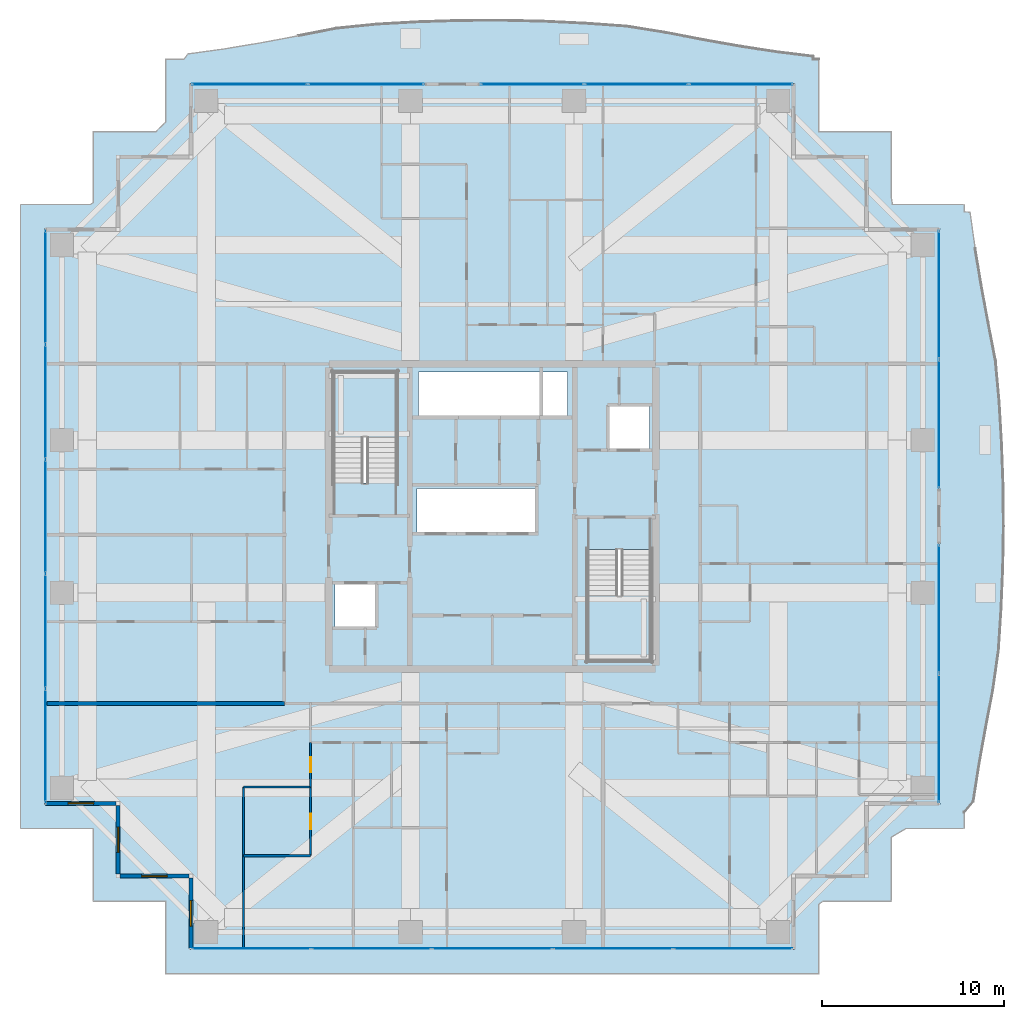
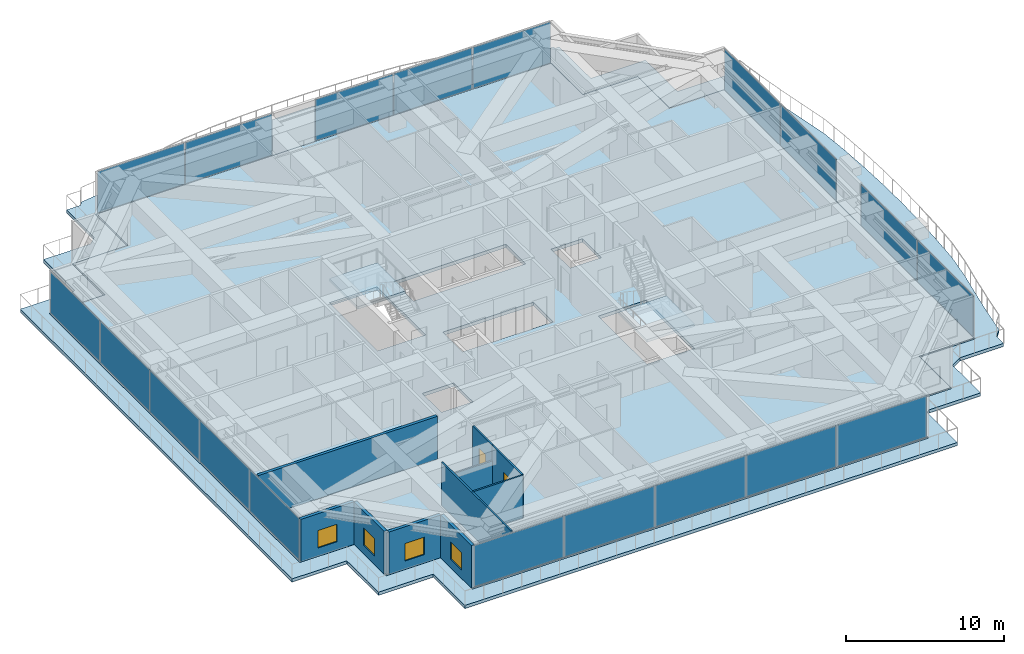
# One storey, part 22 of 32: 19 plates, 10 walls, 4 slabs, 4 windows, 2 doors, 6 openings, 8 elements without a shape of their own.
"""IFC4 building model written with IfcOpenShell, lengths in metres."""

from ifc_helpers import new_model, si_unit, direction, frame, frame_2d, origin, origin_2d, place, context, subcontext, project, spatial, polyline, rectangle, outline, extrude, source, transform, mapped, material, layer, layer_set, type_object, element, fill, aggregate, save


model = new_model("IFC4")

# Units and contexts
model_context = context("Model", 3, precision=1e-05, world=origin(), true_north=direction((0.0, 1.0)))
body_context = subcontext(model_context, "Body", "Model", "MODEL_VIEW")
ifc_project = project(units=[si_unit("LENGTHUNIT", "METRE"), si_unit("AREAUNIT", "SQUARE_METRE"), si_unit("VOLUMEUNIT", "CUBIC_METRE"), si_unit("PLANEANGLEUNIT", "RADIAN"), si_unit("MASSUNIT", "GRAM", prefix="KILO")], contexts=[model_context])

# Site, building, storey
site_placement = place(None, origin())
site = spatial("IfcSite", under=ifc_project, at=site_placement, CompositionType="ELEMENT")
building_placement = place(site_placement, origin())
building = spatial("IfcBuilding", under=site, at=building_placement, Name="Serunith Strait Residences", CompositionType="ELEMENT")
storey_placement = place(building_placement, frame((0.0, 0.0, 195.14990234375)))
storey = spatial("IfcBuildingStorey", under=building, at=storey_placement, Name="L49", CompositionType="ELEMENT", Elevation=195.14990234375)

# Slab
ifc_material_1 = material(Name="Concrete C50/60", Category="concrete")
ifc_layer_1 = layer(ifc_material_1, 0.239990234375, Name="Concrete C50/60")
ifc_layer_set_1 = layer_set([ifc_layer_1], Name="Concrete C50/60")
slab_type_1 = type_object("IfcSlabType", Name="SLB-BALC-240", PredefinedType="FLOOR", material=ifc_layer_set_1)
slab_1_placement = place(storey_placement, frame((0.0, 0.0, -0.289794921875)))
element("IfcSlab", 1, at=slab_1_placement, inside=storey, type_object=slab_type_1, Name="L49 Planted Vertical-Forest Balcony Slab", PredefinedType="FLOOR", context=body_context, shape_type="SweptSolid", body=[
    extrude(outline(polyline([(10.419921875, 46.3798828125), (13.86669921875, 46.3798828125), (14.419921875, 46.912109375), (14.419921875, 50.3798828125), (15.430908203125, 50.3798828125), (15.63623046875, 50.666748046875), (17.635009765625, 50.944091796875), (19.652587890625, 51.279296875), (21.706787109375, 51.66455078125), (23.81787109375, 52.07568359375), (26.0419921875, 52.302734375), (28.319091796875, 52.4306640625), (30.621826171875, 52.50341796875), (32.935546875, 52.513916015625), (35.244384765625, 52.461181640625), (37.533447265625, 52.350341796875), (39.790771484375, 52.1923828125), (41.95361328125, 51.845703125), (44.033203125, 51.443603515625), (46.06640625, 51.0830078125), (48.072998046875, 50.7783203125), (50.068603515625, 50.531982421875), (50.0673828125, 50.3798828125), (50.3798828125, 50.3798828125), (50.3798828125, 46.3798828125), (54.3798828125, 46.3798828125), (54.3798828125, 42.7314453125), (54.431884765625, 42.3798828125), (58.3798828125, 42.3798828125), (58.3798828125, 41.973876953125), (58.708984375, 41.955078125), (58.98974609375, 39.9541015625), (59.325927734375, 37.933349609375), (59.70849609375, 35.87548828125), (60.1142578125, 33.76220703125), (60.315673828125, 31.535888671875), (60.44921875, 29.266845703125), (60.531494140625, 26.972412109375), (60.5546875, 24.666015625), (60.51611328125, 22.36181640625), (60.419677734375, 20.074462890625), (60.274658203125, 17.81591796875), (59.96435546875, 15.638427734375), (59.564697265625, 13.55029296875), (59.198486328125, 11.51025390625), (58.8837890625, 9.5), (58.3798828125, 8.912353515625), (58.3798828125, 8.02001953125), (55.173583984375, 8.02001953125), (54.3798828125, 7.54736328125), (54.3798828125, 4.02001953125), (50.606689453125, 4.02001953125), (50.3798828125, 3.838134765625), (50.3798828125, 0.02001953125), (14.419921875, 0.02001953125), (14.419921875, 4.02001953125), (10.419921875, 4.02001953125), (10.419921875, 8.02001953125), (6.419921875, 8.02001953125), (6.419921875, 42.3798828125), (10.284912109375, 42.3798828125), (10.419921875, 42.47802734375), (10.419921875, 46.3798828125)]), holes=[polyline([(49.054931640625, 1.344970703125), (49.054931640625, 5.344970703125), (53.054931640625, 5.344970703125), (53.054931640625, 9.344970703125), (57.054931640625, 9.344970703125), (57.054931640625, 41.054931640625), (53.054931640625, 41.054931640625), (53.054931640625, 45.054931640625), (49.054931640625, 45.054931640625), (49.054931640625, 49.054931640625), (15.7451171875, 49.054931640625), (15.7451171875, 45.054931640625), (11.7451171875, 45.054931640625), (11.7451171875, 41.054931640625), (7.7451171875, 41.054931640625), (7.7451171875, 9.344970703125), (11.7451171875, 9.344970703125), (11.7451171875, 5.344970703125), (15.7451171875, 5.344970703125), (15.7451171875, 1.344970703125), (49.054931640625, 1.344970703125)])]), origin(), (0.0, 0.0, 1.0), 0.239990234375),
])

# Stair, slab
stair_type_1 = type_object("IfcStairType", Name="STR-CORE-1", PredefinedType="HALF_TURN_STAIR", material=ifc_material_1)
stair_1_placement = place(storey_placement, origin())
stair_1 = element("IfcStair", 2, at=stair_1_placement, inside=storey, type_object=stair_type_1, Name="L49 Protected Escape Stair ST-1", PredefinedType="HALF_TURN_STAIR")
ifc_layer_2 = layer(ifc_material_1, 0.199951171875, Name="Concrete C50/60")
ifc_layer_set_2 = layer_set([ifc_layer_2], Name="Concrete C50/60")
slab_type_2 = type_object("IfcSlabType", Name="SLB-LAND-200", PredefinedType="LANDING", material=ifc_layer_set_2)
slab_2_placement = place(storey_placement, frame((0.0, 0.0, 1.675048828125)))
slab_2 = element("IfcSlab", 3, at=slab_2_placement, type_object=slab_type_2, Name="ST-1 landing 1", PredefinedType="LANDING", context=body_context, shape_type="SweptSolid", body=[
    extrude(outline(polyline([(27.14990234375, 29.550048828125), (27.14990234375, 33.14990234375), (23.64990234375, 33.14990234375), (23.64990234375, 29.550048828125), (27.14990234375, 29.550048828125)])), origin(), (0.0, 0.0, 1.0), 0.199951171875),
])
aggregate(stair_1, [slab_2])

stair_type_2 = type_object("IfcStairType", Name="STR-CORE-2", PredefinedType="HALF_TURN_STAIR", material=ifc_material_1)
stair_2_placement = place(storey_placement, origin())
stair_2 = element("IfcStair", 4, at=stair_2_placement, inside=storey, type_object=stair_type_2, Name="L49 Protected Escape Stair ST-2", PredefinedType="HALF_TURN_STAIR")
slab_3_placement = place(storey_placement, frame((0.0, 0.0, 1.675048828125)))
slab_3 = element("IfcSlab", 5, at=slab_3_placement, type_object=slab_type_2, Name="ST-2 landing 1", PredefinedType="LANDING", context=body_context, shape_type="SweptSolid", body=[
    extrude(outline(polyline([(37.64990234375, 20.85009765625), (37.64990234375, 17.25), (41.14990234375, 17.25), (41.14990234375, 20.85009765625), (37.64990234375, 20.85009765625)])), origin(), (0.0, 0.0, 1.0), 0.199951171875),
])
aggregate(stair_2, [slab_3])

# Slab
ifc_material_2 = material(Name="Concrete C60/75", Category="concrete")
ifc_layer_3 = layer(ifc_material_2, 0.260009765625, Name="Concrete C60/75")
ifc_layer_set_3 = layer_set([ifc_layer_3], Name="Concrete C60/75")
slab_type_3 = type_object("IfcSlabType", Name="SLB-TWR-260-Z2", PredefinedType="FLOOR", material=ifc_layer_set_3)
slab_4_placement = place(storey_placement, frame((0.0, 0.0, -0.260009765625)))
element("IfcSlab", 6, at=slab_4_placement, inside=storey, type_object=slab_type_3, Name="L49 Structural Floor Plate", PredefinedType="FLOOR", context=body_context, shape_type="SweptSolid", body=[
    extrude(outline(polyline([(15.800048828125, 5.39990234375), (11.800048828125, 5.39990234375), (11.800048828125, 9.39990234375), (7.800048828125, 9.39990234375), (7.800048828125, 41.0), (11.800048828125, 41.0), (11.800048828125, 45.0), (15.800048828125, 45.0), (15.800048828125, 49.0), (49.0, 49.0), (49.0, 45.0), (53.0, 45.0), (53.0, 41.0), (57.0, 41.0), (57.0, 9.39990234375), (53.0, 9.39990234375), (53.0, 5.39990234375), (49.0, 5.39990234375), (49.0, 1.39990234375), (15.800048828125, 1.39990234375), (15.800048828125, 5.39990234375)]), holes=[polyline([(41.14990234375, 23.3701171875), (37.64990234375, 23.3701171875), (37.64990234375, 17.25), (41.14990234375, 17.25), (41.14990234375, 23.3701171875)]), polyline([(38.75, 31.25), (38.75, 28.85009765625), (41.050048828125, 28.85009765625), (41.050048828125, 31.25), (38.75, 31.25)]), polyline([(36.550048828125, 33.14990234375), (28.35009765625, 33.14990234375), (28.35009765625, 30.64990234375), (36.550048828125, 30.64990234375), (36.550048828125, 33.14990234375)]), polyline([(34.85009765625, 26.75), (28.25, 26.75), (28.25, 24.25), (34.85009765625, 24.25), (34.85009765625, 26.75)]), polyline([(23.64990234375, 33.14990234375), (23.64990234375, 27.030029296875), (27.14990234375, 27.030029296875), (27.14990234375, 33.14990234375), (23.64990234375, 33.14990234375)]), polyline([(26.050048828125, 21.550048828125), (23.75, 21.550048828125), (23.75, 19.14990234375), (26.050048828125, 19.14990234375), (26.050048828125, 21.550048828125)])]), origin(), (0.0, 0.0, 1.0), 0.260009765625),
])

# Curtain wall, plates
ifc_material_3 = material(Name="Pale-Silver PVDF Aluminium", Category="aluminium")
ifc_layer_4 = layer(ifc_material_3, 0.199951171875, Name="Pale-Silver PVDF Aluminium")
ifc_layer_set_4 = layer_set([ifc_layer_4], Name="Pale-Silver PVDF Aluminium")
curtain_wall_type = type_object("IfcCurtainWallType", Name="CW-SYS3", PredefinedType="NOTDEFINED", material=ifc_layer_set_4)
curtain_wall_1_placement = place(storey_placement, origin())
curtain_wall_1 = element("IfcCurtainWall", 7, at=curtain_wall_1_placement, inside=storey, type_object=curtain_wall_type, Name="L49 S Unitised Fritted Curtain Wall", PredefinedType="NOTDEFINED")
ifc_material_4 = material(Name="High-Selectivity Acoustic Laminated Glazing 32mm", Category="glass")
ifc_layer_5 = layer(ifc_material_4, 0.031982421875, Name="High-Selectivity Acoustic Laminated Glazing 32mm")
ifc_layer_set_5 = layer_set([ifc_layer_5], Name="High-Selectivity Acoustic Laminated Glazing 32mm")
plate_type = type_object("IfcPlateType", Name="CW-SYS3-PNL", PredefinedType="CURTAIN_PANEL", material=ifc_layer_set_5)
shared_shape_1 = source(origin(), body_context, "Body", "SweptSolid", [
    extrude(rectangle(XDim=6.527587890625, YDim=0.031982421875, at=origin_2d()), origin(), (0.0, 0.0, 1.0), 3.175048828125),
])
plate_1_placement = place(storey_placement, frame((19.138671875, 1.39990234375, 0.06005859375), z_axis=(0.0, 0.0, 1.0), x_axis=(1.0, 0.0, 0.0)))
plate_1 = element("IfcPlate", 8, at=plate_1_placement, type_object=plate_type, Name="CW-3 panel 1.1", PredefinedType="CURTAIN_PANEL", context=body_context, shape_type="MappedRepresentation", body=[
    mapped(shared_shape_1, transform((0.0, 0.0, 0.0), scale=1.0)),
])
plate_2_placement = place(storey_placement, frame((45.6611328125, 1.39990234375, 0.06005859375), z_axis=(0.0, 0.0, 1.0), x_axis=(1.0, 0.0, 0.0)))
plate_2 = element("IfcPlate", 9, at=plate_2_placement, type_object=plate_type, Name="CW-3 panel 5.1", PredefinedType="CURTAIN_PANEL", context=body_context, shape_type="MappedRepresentation", body=[
    mapped(shared_shape_1, transform((0.0, 0.0, 0.0), scale=1.0)),
])
shared_shape_2 = source(origin(), body_context, "Body", "SweptSolid", [
    extrude(rectangle(XDim=6.56494140625, YDim=0.031982421875, at=origin_2d()), origin(), (0.0, 0.0, 1.0), 3.175048828125),
])
plate_3_placement = place(storey_placement, frame((25.760009765625, 1.39990234375, 0.06005859375), z_axis=(0.0, 0.0, 1.0), x_axis=(1.0, 0.0, 0.0)))
plate_3 = element("IfcPlate", 10, at=plate_3_placement, type_object=plate_type, Name="CW-3 panel 2.1", PredefinedType="CURTAIN_PANEL", context=body_context, shape_type="MappedRepresentation", body=[
    mapped(shared_shape_2, transform((0.0, 0.0, 0.0), scale=1.0)),
])
plate_4_placement = place(storey_placement, frame((32.39990234375, 1.39990234375, 0.06005859375), z_axis=(0.0, 0.0, 1.0), x_axis=(1.0, 0.0, 0.0)))
plate_4 = element("IfcPlate", 11, at=plate_4_placement, type_object=plate_type, Name="CW-3 panel 3.1", PredefinedType="CURTAIN_PANEL", context=body_context, shape_type="MappedRepresentation", body=[
    mapped(shared_shape_2, transform((0.0, 0.0, 0.0), scale=1.0)),
])
plate_5_placement = place(storey_placement, frame((39.0400390625, 1.39990234375, 0.06005859375), z_axis=(0.0, 0.0, 1.0), x_axis=(1.0, 0.0, 0.0)))
plate_5 = element("IfcPlate", 12, at=plate_5_placement, type_object=plate_type, Name="CW-3 panel 4.1", PredefinedType="CURTAIN_PANEL", context=body_context, shape_type="MappedRepresentation", body=[
    mapped(shared_shape_2, transform((0.0, 0.0, 0.0), scale=1.0)),
])
aggregate(curtain_wall_1, [plate_1, plate_3, plate_4, plate_5, plate_2])

curtain_wall_2_placement = place(storey_placement, origin())
curtain_wall_2 = element("IfcCurtainWall", 13, at=curtain_wall_2_placement, inside=storey, type_object=curtain_wall_type, Name="L49 E Unitised Fritted Curtain Wall", PredefinedType="NOTDEFINED")
shared_shape_3 = source(origin(), body_context, "Body", "SweptSolid", [
    extrude(rectangle(XDim=7.03759765625, YDim=0.031982421875, at=origin_2d()), origin(), (0.0, 0.0, 1.0), 3.175048828125),
])
plate_6_placement = place(storey_placement, frame((57.0, 12.99365234375, 0.06005859375), z_axis=(0.0, 0.0, 1.0), x_axis=(0.0, 1.0, 0.0)))
plate_6 = element("IfcPlate", 14, at=plate_6_placement, type_object=plate_type, Name="CW-3 panel 1.1", PredefinedType="CURTAIN_PANEL", context=body_context, shape_type="MappedRepresentation", body=[
    mapped(shared_shape_3, transform((0.0, 0.0, 0.0), scale=1.0)),
])
plate_7_placement = place(storey_placement, frame((57.0, 20.106201171875, 0.06005859375), z_axis=(0.0, 0.0, 1.0), x_axis=(0.0, 1.0, 0.0)))
plate_7 = element("IfcPlate", 15, at=plate_7_placement, type_object=plate_type, Name="CW-3 panel 2.1", PredefinedType="CURTAIN_PANEL", context=body_context, shape_type="MappedRepresentation", body=[
    mapped(shared_shape_3, transform((0.0, 0.0, 0.0), scale=1.0)),
])
aggregate(curtain_wall_2, [plate_6, plate_7])

curtain_wall_3_placement = place(storey_placement, origin())
curtain_wall_3 = element("IfcCurtainWall", 16, at=curtain_wall_3_placement, inside=storey, type_object=curtain_wall_type, Name="L49 E Unitised Fritted Curtain Wall", PredefinedType="NOTDEFINED")
plate_8_placement = place(storey_placement, frame((57.0, 30.293701171875, 0.06005859375), z_axis=(0.0, 0.0, 1.0), x_axis=(0.0, 1.0, 0.0)))
plate_8 = element("IfcPlate", 17, at=plate_8_placement, type_object=plate_type, Name="CW-3 panel 1.1", PredefinedType="CURTAIN_PANEL", context=body_context, shape_type="MappedRepresentation", body=[
    mapped(shared_shape_3, transform((0.0, 0.0, 0.0), scale=1.0)),
])
plate_9_placement = place(storey_placement, frame((57.0, 37.40625, 0.06005859375), z_axis=(0.0, 0.0, 1.0), x_axis=(0.0, 1.0, 0.0)))
plate_9 = element("IfcPlate", 18, at=plate_9_placement, type_object=plate_type, Name="CW-3 panel 2.1", PredefinedType="CURTAIN_PANEL", context=body_context, shape_type="MappedRepresentation", body=[
    mapped(shared_shape_3, transform((0.0, 0.0, 0.0), scale=1.0)),
])
aggregate(curtain_wall_3, [plate_8, plate_9])

curtain_wall_4_placement = place(storey_placement, origin())
curtain_wall_4 = element("IfcCurtainWall", 19, at=curtain_wall_4_placement, inside=storey, type_object=curtain_wall_type, Name="L49 N Unitised Fritted Curtain Wall", PredefinedType="NOTDEFINED")
shared_shape_4 = source(origin(), body_context, "Body", "SweptSolid", [
    extrude(rectangle(XDim=5.654052734375, YDim=0.031982421875, at=origin_2d()), origin(), (0.0, 0.0, 1.0), 3.175048828125),
])
plate_10_placement = place(storey_placement, frame((46.097900390625, 49.0, 0.06005859375), z_axis=(0.0, 0.0, 1.0), x_axis=(-1.0, 0.0, 0.0)))
plate_10 = element("IfcPlate", 20, at=plate_10_placement, type_object=plate_type, Name="CW-3 panel 1.1", PredefinedType="CURTAIN_PANEL", context=body_context, shape_type="MappedRepresentation", body=[
    mapped(shared_shape_4, transform((0.0, 0.0, 0.0), scale=1.0)),
])
plate_11_placement = place(storey_placement, frame((34.60205078125, 49.0, 0.06005859375), z_axis=(0.0, 0.0, 1.0), x_axis=(-1.0, 0.0, 0.0)))
plate_11 = element("IfcPlate", 21, at=plate_11_placement, type_object=plate_type, Name="CW-3 panel 3.1", PredefinedType="CURTAIN_PANEL", context=body_context, shape_type="MappedRepresentation", body=[
    mapped(shared_shape_4, transform((0.0, 0.0, 0.0), scale=1.0)),
])
shared_shape_5 = source(origin(), body_context, "Body", "SweptSolid", [
    extrude(rectangle(XDim=5.691650390625, YDim=0.031982421875, at=origin_2d()), origin(), (0.0, 0.0, 1.0), 3.175048828125),
])
plate_12_placement = place(storey_placement, frame((40.35009765625, 49.0, 0.06005859375), z_axis=(0.0, 0.0, 1.0), x_axis=(-1.0, 0.0, 0.0)))
plate_12 = element("IfcPlate", 22, at=plate_12_placement, type_object=plate_type, Name="CW-3 panel 2.1", PredefinedType="CURTAIN_PANEL", context=body_context, shape_type="MappedRepresentation", body=[
    mapped(shared_shape_5, transform((0.0, 0.0, 0.0), scale=1.0)),
])
aggregate(curtain_wall_4, [plate_10, plate_12, plate_11])

curtain_wall_5_placement = place(storey_placement, origin())
curtain_wall_5 = element("IfcCurtainWall", 23, at=curtain_wall_5_placement, inside=storey, type_object=curtain_wall_type, Name="L49 N Unitised Fritted Curtain Wall", PredefinedType="NOTDEFINED")
shared_shape_6 = source(origin(), body_context, "Body", "SweptSolid", [
    extrude(rectangle(XDim=6.33740234375, YDim=0.031982421875, at=origin_2d()), origin(), (0.0, 0.0, 1.0), 3.175048828125),
])
plate_13_placement = place(storey_placement, frame((25.456298828125, 49.0, 0.06005859375), z_axis=(0.0, 0.0, 1.0), x_axis=(-1.0, 0.0, 0.0)))
plate_13 = element("IfcPlate", 24, at=plate_13_placement, type_object=plate_type, Name="CW-3 panel 1.1", PredefinedType="CURTAIN_PANEL", context=body_context, shape_type="MappedRepresentation", body=[
    mapped(shared_shape_6, transform((0.0, 0.0, 0.0), scale=1.0)),
])
plate_14_placement = place(storey_placement, frame((19.043701171875, 49.0, 0.06005859375), z_axis=(0.0, 0.0, 1.0), x_axis=(-1.0, 0.0, 0.0)))
plate_14 = element("IfcPlate", 25, at=plate_14_placement, type_object=plate_type, Name="CW-3 panel 2.1", PredefinedType="CURTAIN_PANEL", context=body_context, shape_type="MappedRepresentation", body=[
    mapped(shared_shape_6, transform((0.0, 0.0, 0.0), scale=1.0)),
])
aggregate(curtain_wall_5, [plate_13, plate_14])

curtain_wall_6_placement = place(storey_placement, origin())
curtain_wall_6 = element("IfcCurtainWall", 26, at=curtain_wall_6_placement, inside=storey, type_object=curtain_wall_type, Name="L49 W Unitised Fritted Curtain Wall", PredefinedType="NOTDEFINED")
shared_shape_7 = source(origin(), body_context, "Body", "SweptSolid", [
    extrude(rectangle(XDim=6.20751953125, YDim=0.031982421875, at=origin_2d()), origin(), (0.0, 0.0, 1.0), 3.175048828125),
])
plate_15_placement = place(storey_placement, frame((7.800048828125, 37.8212890625, 0.06005859375), z_axis=(0.0, 0.0, 1.0), x_axis=(0.0, -1.0, 0.0)))
plate_15 = element("IfcPlate", 27, at=plate_15_placement, type_object=plate_type, Name="CW-3 panel 1.1", PredefinedType="CURTAIN_PANEL", context=body_context, shape_type="MappedRepresentation", body=[
    mapped(shared_shape_7, transform((0.0, 0.0, 0.0), scale=1.0)),
])
plate_16_placement = place(storey_placement, frame((7.800048828125, 12.578857421875, 0.06005859375), z_axis=(0.0, 0.0, 1.0), x_axis=(0.0, -1.0, 0.0)))
plate_16 = element("IfcPlate", 28, at=plate_16_placement, type_object=plate_type, Name="CW-3 panel 5.1", PredefinedType="CURTAIN_PANEL", context=body_context, shape_type="MappedRepresentation", body=[
    mapped(shared_shape_7, transform((0.0, 0.0, 0.0), scale=1.0)),
])
shared_shape_8 = source(origin(), body_context, "Body", "SweptSolid", [
    extrude(rectangle(XDim=6.2451171875, YDim=0.031982421875, at=origin_2d()), origin(), (0.0, 0.0, 1.0), 3.175048828125),
])
plate_17_placement = place(storey_placement, frame((7.800048828125, 31.52001953125, 0.06005859375), z_axis=(0.0, 0.0, 1.0), x_axis=(0.0, -1.0, 0.0)))
plate_17 = element("IfcPlate", 29, at=plate_17_placement, type_object=plate_type, Name="CW-3 panel 2.1", PredefinedType="CURTAIN_PANEL", context=body_context, shape_type="MappedRepresentation", body=[
    mapped(shared_shape_8, transform((0.0, 0.0, 0.0), scale=1.0)),
])
plate_18_placement = place(storey_placement, frame((7.800048828125, 25.199951171875, 0.06005859375), z_axis=(0.0, 0.0, 1.0), x_axis=(0.0, -1.0, 0.0)))
plate_18 = element("IfcPlate", 30, at=plate_18_placement, type_object=plate_type, Name="CW-3 panel 3.1", PredefinedType="CURTAIN_PANEL", context=body_context, shape_type="MappedRepresentation", body=[
    mapped(shared_shape_8, transform((0.0, 0.0, 0.0), scale=1.0)),
])
plate_19_placement = place(storey_placement, frame((7.800048828125, 18.8798828125, 0.06005859375), z_axis=(0.0, 0.0, 1.0), x_axis=(0.0, -1.0, 0.0)))
plate_19 = element("IfcPlate", 31, at=plate_19_placement, type_object=plate_type, Name="CW-3 panel 4.1", PredefinedType="CURTAIN_PANEL", context=body_context, shape_type="MappedRepresentation", body=[
    mapped(shared_shape_8, transform((0.0, 0.0, 0.0), scale=1.0)),
])
aggregate(curtain_wall_6, [plate_15, plate_17, plate_18, plate_19, plate_16])

# Wall, opening, window
ifc_material_5 = material(Name="Pale-Champagne Aluminium Insulated Panel", Category="aluminium")
ifc_layer_6 = layer(ifc_material_5, 0.219970703125, Name="Pale-Champagne Aluminium Insulated Panel")
ifc_layer_set_6 = layer_set([ifc_layer_6], Name="Pale-Champagne Aluminium Insulated Panel")
wall_type_1 = type_object("IfcWallType", Name="EW-ALUM-220", PredefinedType="ELEMENTEDWALL", material=ifc_layer_set_6)
wall_1_placement = place(storey_placement, frame((7.800048828125, 9.39990234375, 0.0), z_axis=(0.0, 0.0, 1.0), x_axis=(1.0, 0.0, 0.0)))
wall_1 = element("IfcWall", 32, at=wall_1_placement, inside=storey, type_object=wall_type_1, Name="L49 Girih Serrated Corner Wall 17", PredefinedType="ELEMENTEDWALL", context=body_context, shape_type="SweptSolid", body=[
    extrude(rectangle(XDim=3.889892578125, YDim=0.219970703125, at=frame_2d((1.94482421875, 0.0))), origin(), (0.0, 0.0, 1.0), 3.295166015625),
])
opening_1_placement = place(wall_1_placement, frame((1.2451171875, 0.0, 0.64990234375)))
opening_1 = element("IfcOpeningElement", 33, at=opening_1_placement, cuts=wall_1, Name="Opening W-09", PredefinedType="OPENING", context=body_context, shape_type="SweptSolid", body=[
    extrude(rectangle(XDim=1.39990234375, YDim=1.35009765625, at=frame_2d((0.699951171875, 0.675048828125))), frame((0.0, 0.1201171875, 0.0), z_axis=(0.0, -1.0, 0.0), x_axis=(1.0, 0.0, 0.0)), (0.0, 0.0, 1.0), 0.239990234375),
])
ifc_material_6 = material(Name="Setback Spandrel Ceramic-Fritted Operable Window Glass", Category="glass")
window_type = type_object("IfcWindowType", Name="WIN-C7", PartitioningType="DOUBLE_PANEL_VERTICAL", PredefinedType="WINDOW", material=ifc_material_6)
shared_shape_9 = source(origin(), body_context, "Body", "SweptSolid", [
    extrude(rectangle(XDim=1.39990234375, YDim=1.35009765625, at=frame_2d((0.699951171875, 0.675048828125))), frame((0.0, 0.030029296875, 0.0), z_axis=(0.0, -1.0, 0.0), x_axis=(1.0, 0.0, 0.0)), (0.0, 0.0, 1.0), 0.06005859375),
])
window_1_placement = place(opening_1_placement, origin())
window_1 = element("IfcWindow", 34, at=window_1_placement, inside=storey, type_object=window_type, Name="L49 Corner Operable Fritted Window 17", OverallHeight=1.35009765625, OverallWidth=1.39990234375, PartitioningType="SINGLE_PANEL", PredefinedType="WINDOW", context=body_context, shape_type="MappedRepresentation", body=[
    mapped(shared_shape_9, transform((0.0, 0.0, 0.0), scale=1.0)),
])
fill(opening_1, window_1)

wall_2_placement = place(storey_placement, frame((11.800048828125, 9.2900390625, 0.0), z_axis=(0.0, 0.0, 1.0), x_axis=(0.0, -1.0, 0.0)))
wall_2 = element("IfcWall", 35, at=wall_2_placement, inside=storey, type_object=wall_type_1, Name="L49 Girih Serrated Corner Wall 18", PredefinedType="ELEMENTEDWALL", context=body_context, shape_type="SweptSolid", body=[
    extrude(rectangle(XDim=3.780029296875, YDim=0.219970703125, at=frame_2d((1.89013671875, 0.0))), origin(), (0.0, 0.0, 1.0), 3.295166015625),
])
opening_2_placement = place(wall_2_placement, frame((1.18994140625, 0.0, 0.64990234375)))
opening_2 = element("IfcOpeningElement", 36, at=opening_2_placement, cuts=wall_2, Name="Opening W-09", PredefinedType="OPENING", context=body_context, shape_type="SweptSolid", body=[
    extrude(rectangle(XDim=1.39990234375, YDim=1.35009765625, at=frame_2d((0.699951171875, 0.675048828125))), frame((0.0, 0.1201171875, 0.0), z_axis=(0.0, -1.0, 0.0), x_axis=(1.0, 0.0, 0.0)), (0.0, 0.0, 1.0), 0.239990234375),
])
window_2_placement = place(opening_2_placement, origin())
window_2 = element("IfcWindow", 37, at=window_2_placement, inside=storey, type_object=window_type, Name="L49 Corner Operable Fritted Window 18", OverallHeight=1.35009765625, OverallWidth=1.39990234375, PartitioningType="SINGLE_PANEL", PredefinedType="WINDOW", context=body_context, shape_type="MappedRepresentation", body=[
    mapped(shared_shape_9, transform((0.0, 0.0, 0.0), scale=1.0)),
])
fill(opening_2, window_2)

wall_3_placement = place(storey_placement, frame((11.909912109375, 5.39990234375, 0.0), z_axis=(0.0, 0.0, 1.0), x_axis=(1.0, 0.0, 0.0)))
wall_3 = element("IfcWall", 38, at=wall_3_placement, inside=storey, type_object=wall_type_1, Name="L49 Girih Serrated Corner Wall 19", PredefinedType="ELEMENTEDWALL", context=body_context, shape_type="SweptSolid", body=[
    extrude(rectangle(XDim=3.780029296875, YDim=0.219970703125, at=frame_2d((1.89013671875, 0.0))), origin(), (0.0, 0.0, 1.0), 3.295166015625),
])
opening_3_placement = place(wall_3_placement, frame((1.18994140625, 0.0, 0.64990234375)))
opening_3 = element("IfcOpeningElement", 39, at=opening_3_placement, cuts=wall_3, Name="Opening W-09", PredefinedType="OPENING", context=body_context, shape_type="SweptSolid", body=[
    extrude(rectangle(XDim=1.39990234375, YDim=1.35009765625, at=frame_2d((0.699951171875, 0.675048828125))), frame((0.0, 0.1201171875, 0.0), z_axis=(0.0, -1.0, 0.0), x_axis=(1.0, 0.0, 0.0)), (0.0, 0.0, 1.0), 0.239990234375),
])
window_3_placement = place(opening_3_placement, origin())
window_3 = element("IfcWindow", 40, at=window_3_placement, inside=storey, type_object=window_type, Name="L49 Corner Operable Fritted Window 19", OverallHeight=1.35009765625, OverallWidth=1.39990234375, PartitioningType="SINGLE_PANEL", PredefinedType="WINDOW", context=body_context, shape_type="MappedRepresentation", body=[
    mapped(shared_shape_9, transform((0.0, 0.0, 0.0), scale=1.0)),
])
fill(opening_3, window_3)

wall_4_placement = place(storey_placement, frame((15.800048828125, 5.2900390625, 0.0), z_axis=(0.0, 0.0, 1.0), x_axis=(0.0, -1.0, 0.0)))
wall_4 = element("IfcWall", 41, at=wall_4_placement, inside=storey, type_object=wall_type_1, Name="L49 Girih Serrated Corner Wall 20", PredefinedType="ELEMENTEDWALL", context=body_context, shape_type="SweptSolid", body=[
    extrude(rectangle(XDim=3.89013671875, YDim=0.219970703125, at=frame_2d((1.945068359375, 0.0))), origin(), (0.0, 0.0, 1.0), 3.295166015625),
])
opening_4_placement = place(wall_4_placement, frame((1.2451171875, 0.0, 0.64990234375)))
opening_4 = element("IfcOpeningElement", 42, at=opening_4_placement, cuts=wall_4, Name="Opening W-09", PredefinedType="OPENING", context=body_context, shape_type="SweptSolid", body=[
    extrude(rectangle(XDim=1.39990234375, YDim=1.35009765625, at=frame_2d((0.699951171875, 0.675048828125))), frame((0.0, 0.1201171875, 0.0), z_axis=(0.0, -1.0, 0.0), x_axis=(1.0, 0.0, 0.0)), (0.0, 0.0, 1.0), 0.239990234375),
])
window_4_placement = place(opening_4_placement, origin())
window_4 = element("IfcWindow", 43, at=window_4_placement, inside=storey, type_object=window_type, Name="L49 Corner Operable Fritted Window 20", OverallHeight=1.35009765625, OverallWidth=1.39990234375, PartitioningType="SINGLE_PANEL", PredefinedType="WINDOW", context=body_context, shape_type="MappedRepresentation", body=[
    mapped(shared_shape_9, transform((0.0, 0.0, 0.0), scale=1.0)),
])
fill(opening_4, window_4)

# Walls
ifc_material_7 = material(Name="Lightweight steel-stud gypsum partition", Category="steel")
ifc_layer_7 = layer(ifc_material_7, 0.1201171875, Name="Lightweight steel-stud gypsum partition")
ifc_layer_set_7 = layer_set([ifc_layer_7], Name="Lightweight steel-stud gypsum partition")
wall_type_2 = type_object("IfcWallType", Name="IW-PART-120", PredefinedType="PARTITIONING", material=ifc_layer_set_7)
wall_5_placement = place(storey_placement, frame((18.699951171875, 6.51904296875, 0.0), z_axis=(0.0, 0.0, 1.0), x_axis=(1.0, 0.0, 0.0)))
element("IfcWall", 44, at=wall_5_placement, inside=storey, type_object=wall_type_2, Name="L49 Partition Wall 042", PredefinedType="PARTITIONING", context=body_context, shape_type="SweptSolid", body=[
    extrude(rectangle(XDim=3.699951171875, YDim=0.1201171875, at=frame_2d((1.85009765625, 0.0))), origin(), (0.0, 0.0, 1.0), 3.31005859375),
])
wall_6_placement = place(storey_placement, frame((18.699951171875, 1.4951171875, 0.0), z_axis=(0.0, 0.0, 1.0), x_axis=(0.0, 1.0, 0.0)))
element("IfcWall", 45, at=wall_6_placement, inside=storey, type_object=wall_type_2, Name="L49 Partition Wall 043", PredefinedType="PARTITIONING", context=body_context, shape_type="SweptSolid", body=[
    extrude(rectangle(XDim=8.807861328125, YDim=0.1201171875, at=frame_2d((4.40380859375, 0.0))), origin(), (0.0, 0.0, 1.0), 3.31005859375),
])
wall_7_placement = place(storey_placement, frame((18.699951171875, 10.302978515625, 0.0), z_axis=(0.0, 0.0, 1.0), x_axis=(1.0, 0.0, 0.0)))
element("IfcWall", 46, at=wall_7_placement, inside=storey, type_object=wall_type_2, Name="L49 Partition Wall 044", PredefinedType="PARTITIONING", context=body_context, shape_type="SweptSolid", body=[
    extrude(rectangle(XDim=3.699951171875, YDim=0.1201171875, at=frame_2d((1.85009765625, 0.0))), origin(), (0.0, 0.0, 1.0), 2.14501953125),
])

# Wall, opening, door
wall_8_placement = place(storey_placement, frame((22.39990234375, 6.51904296875, 0.0), z_axis=(0.0, 0.0, 1.0), x_axis=(0.0, 1.0, 0.0)))
wall_8 = element("IfcWall", 47, at=wall_8_placement, inside=storey, type_object=wall_type_2, Name="L49 Partition Wall 045", PredefinedType="PARTITIONING", context=body_context, shape_type="SweptSolid", body=[
    extrude(rectangle(XDim=3.783935546875, YDim=0.1201171875, at=frame_2d((1.89208984375, 0.0))), origin(), (0.0, 0.0, 1.0), 3.31005859375),
])
opening_5_placement = place(wall_8_placement, frame((1.467041015625, 0.0, 0.0)))
opening_5 = element("IfcOpeningElement", 48, at=opening_5_placement, cuts=wall_8, Name="Opening D-BTH850", PredefinedType="OPENING", context=body_context, shape_type="SweptSolid", body=[
    extrude(rectangle(XDim=0.85009765625, YDim=2.10009765625, at=frame_2d((0.425048828125, 1.050048828125))), frame((0.0, 0.070068359375, 0.0), z_axis=(0.0, -1.0, 0.0), x_axis=(1.0, 0.0, 0.0)), (0.0, 0.0, 1.0), 0.14013671875),
])
ifc_material_8 = material(Name="Moisture-resistant timber bathroom door", Category="wood")
door_type_1 = type_object("IfcDoorType", Name="ID-BATH-850", OperationType="NOTDEFINED", PredefinedType="DOOR", material=ifc_material_8)
shared_shape_10 = source(origin(), body_context, "Body", "SweptSolid", [
    extrude(rectangle(XDim=0.85009765625, YDim=2.10009765625, at=frame_2d((0.425048828125, 1.050048828125))), frame((0.0, 0.02490234375, 0.0), z_axis=(0.0, -1.0, 0.0), x_axis=(1.0, 0.0, 0.0)), (0.0, 0.0, 1.0), 0.050048828125),
])
door_1_placement = place(opening_5_placement, origin())
door_1 = element("IfcDoor", 49, at=door_1_placement, inside=storey, type_object=door_type_1, Name="L49 En-suite Bathroom W 4901 Door", OperationType="SINGLE_SWING_LEFT", OverallHeight=2.10009765625, OverallWidth=0.85009765625, PredefinedType="DOOR", context=body_context, shape_type="MappedRepresentation", body=[
    mapped(shared_shape_10, transform((0.0, 0.0, 0.0), scale=1.0)),
])
fill(opening_5, door_1)

wall_9_placement = place(storey_placement, frame((22.39990234375, 10.304931640625, 0.0), z_axis=(0.0, 0.0, 1.0), x_axis=(0.0, 1.0, 0.0)))
wall_9 = element("IfcWall", 50, at=wall_9_placement, inside=storey, type_object=wall_type_2, Name="L49 Partition Wall 046", PredefinedType="PARTITIONING", context=body_context, shape_type="SweptSolid", body=[
    extrude(rectangle(XDim=2.445068359375, YDim=0.1201171875, at=frame_2d((1.22265625, 0.0))), origin(), (0.0, 0.0, 1.0), 3.31005859375),
])
opening_6_placement = place(wall_9_placement, frame((0.798095703125, 0.0, 0.0)))
opening_6 = element("IfcOpeningElement", 51, at=opening_6_placement, cuts=wall_9, Name="Opening D-RM850", PredefinedType="OPENING", context=body_context, shape_type="SweptSolid", body=[
    extrude(rectangle(XDim=0.85009765625, YDim=2.10009765625, at=frame_2d((0.425048828125, 1.050048828125))), frame((0.0, 0.070068359375, 0.0), z_axis=(0.0, -1.0, 0.0), x_axis=(1.0, 0.0, 0.0)), (0.0, 0.0, 1.0), 0.14013671875),
])
ifc_material_9 = material(Name="Engineered timber flush study and kitchen door", Category="wood")
door_type_2 = type_object("IfcDoorType", Name="ID-ROOM-850", OperationType="NOTDEFINED", PredefinedType="DOOR", material=ifc_material_9)
door_2_placement = place(opening_6_placement, origin())
door_2 = element("IfcDoor", 52, at=door_2_placement, inside=storey, type_object=door_type_2, Name="L49 Wardrobe W 4901 Door", OperationType="SINGLE_SWING_RIGHT", OverallHeight=2.10009765625, OverallWidth=0.85009765625, PredefinedType="DOOR", context=body_context, shape_type="MappedRepresentation", body=[
    mapped(shared_shape_10, transform((0.0, 0.0, 0.0), scale=1.0)),
])
fill(opening_6, door_2)

# Wall
ifc_material_10 = material(Name="Twin-stud acoustic gypsum board partition")
ifc_layer_8 = layer(ifc_material_10, 0.199951171875, Name="Twin-stud acoustic gypsum board partition")
ifc_layer_set_8 = layer_set([ifc_layer_8], Name="Twin-stud acoustic gypsum board partition")
wall_type_3 = type_object("IfcWallType", Name="IW-PARTY-200", PredefinedType="PARTITIONING", material=ifc_layer_set_8)
wall_10_placement = place(storey_placement, frame((7.882080078125, 14.89990234375, 0.0), z_axis=(0.0, 0.0, 1.0), x_axis=(1.0, 0.0, 0.0)))
element("IfcWall", 53, at=wall_10_placement, inside=storey, type_object=wall_type_3, Name="L49 Partition Wall 022", PredefinedType="PARTITIONING", context=body_context, shape_type="SweptSolid", body=[
    extrude(rectangle(XDim=13.06787109375, YDim=0.199951171875, at=frame_2d((6.533935546875, 0.0))), origin(), (0.0, 0.0, 1.0), 3.31005859375),
])

save(model, "model.ifc")
